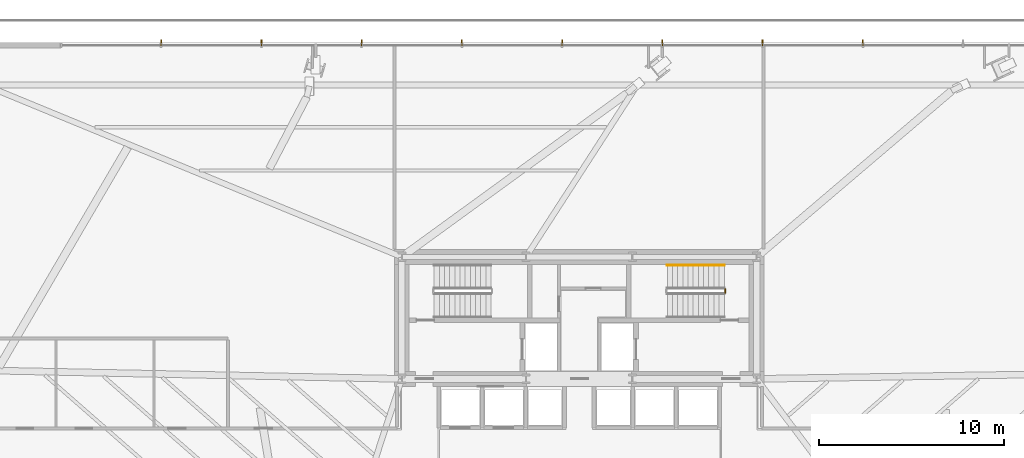
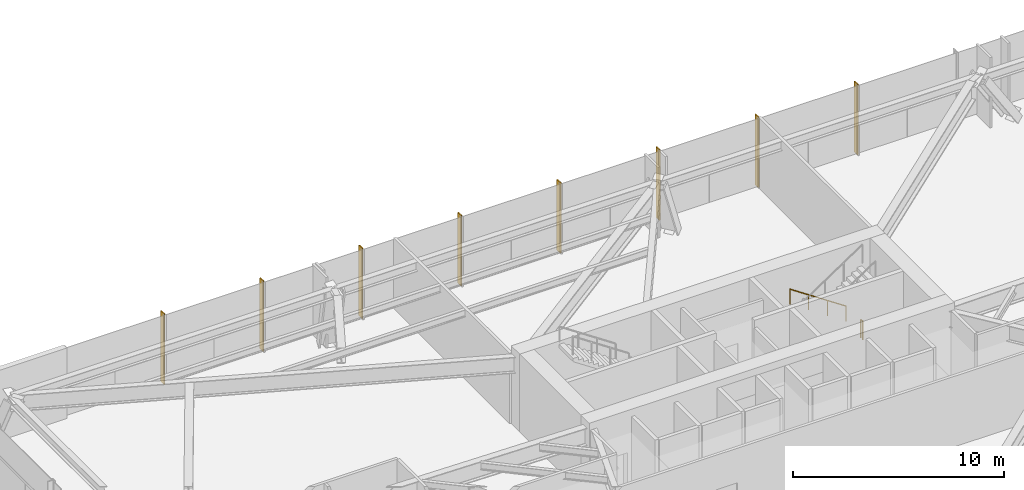
# One storey, part 34 of 36: 8 shading devices, 2 railings.
"""IFC4 building model written with IfcOpenShell, lengths in metres."""

from ifc_helpers import new_model, si_unit, direction, frame, origin, origin_2d, place, context, subcontext, project, spatial, rectangle, extrude, source, transform, mapped, material, type_object, type_shapes, element, save


model = new_model("IFC4")

# Units and contexts
model_context = context("Model", 3, precision=1e-05, world=origin(), true_north=direction((0.0, 1.0)))
body_context = subcontext(model_context, "Body", "Model", "MODEL_VIEW")
ifc_project = project(units=[si_unit("LENGTHUNIT", "METRE"), si_unit("AREAUNIT", "SQUARE_METRE"), si_unit("VOLUMEUNIT", "CUBIC_METRE"), si_unit("PLANEANGLEUNIT", "RADIAN"), si_unit("MASSUNIT", "GRAM", prefix="KILO")], contexts=[model_context])

# Site, building, storey
site_placement = place(None, origin())
site = spatial("IfcSite", under=ifc_project, at=site_placement, CompositionType="ELEMENT")
building_placement = place(site_placement, origin())
building = spatial("IfcBuilding", under=site, at=building_placement, Name="Astriad Promenade Condominiums", CompositionType="ELEMENT")
storey_placement = place(building_placement, frame((0.0, 0.0, 5.0)))
storey = spatial("IfcBuildingStorey", under=building, at=storey_placement, Name="L01", CompositionType="ELEMENT", Elevation=5.0)

# Shading devices
ifc_material_1 = material(Name="Anodised aluminium 6063-T6 Black Fin", Category="aluminium")
shading_device_type = type_object("IfcShadingDeviceType", Name="FIN-BLACK-320", PredefinedType="USERDEFINED", material=ifc_material_1)
shared_shape_1 = source(origin(), body_context, "Body", "SweptSolid", [
    extrude(rectangle(XDim=0.06494140625, YDim=0.320068359375, at=origin_2d()), origin(), (0.0, 0.0, 1.0), 4.080078125),
])
type_shapes(shading_device_type, [shared_shape_1])
for number, where, z_axis, x_axis, name in (
    (1, (13.375, 35.590087890625, 0.0), (0.0, 0.0, 1.0), (1.0, 0.0, 0.0), "CW-L01-N-FIN-01"),
    (2, (18.800048828125, 35.590087890625, 0.0), (0.0, 0.0, 1.0), (1.0, 0.0, 0.0), "CW-L01-N-FIN-02"),
    (3, (24.22509765625, 35.590087890625, 0.0), (0.0, 0.0, 1.0), (1.0, 0.0, 0.0), "CW-L01-N-FIN-03"),
    (4, (29.64990234375, 35.590087890625, 0.0), (0.0, 0.0, 1.0), (1.0, 0.0, 0.0), "CW-L01-N-FIN-04"),
    (5, (35.074951171875, 35.590087890625, 0.0), (0.0, 0.0, 1.0), (1.0, 0.0, 0.0), "CW-L01-N-FIN-05"),
    (6, (40.5, 35.590087890625, 0.0), (0.0, 0.0, 1.0), (1.0, 0.0, 0.0), "CW-L01-N-FIN-06"),
    (7, (45.925048828125, 35.590087890625, 0.0), (0.0, 0.0, 1.0), (1.0, 0.0, 0.0), "CW-L01-N-FIN-07"),
    (8, (51.35009765625, 35.590087890625, 0.0), (0.0, 0.0, 1.0), (1.0, 0.0, 0.0), "CW-L01-N-FIN-08"),
):
    element("IfcShadingDevice", number, at=place(storey_placement, frame(where, z_axis=z_axis, x_axis=x_axis)), inside=storey, type_object=shading_device_type, Name=name, ObjectType="FIN", PredefinedType="USERDEFINED", context=body_context, shape_type="MappedRepresentation", body=[
        mapped(shared_shape_1, transform((0.0, 0.0, 0.0), scale=1.0)),
    ])

# Railings
ifc_material_2 = material(Name="Brushed Stainless Steel Handrail", Category="steel")
railing_type_1 = type_object("IfcRailingType", Name="HRL-STAIR-920", PredefinedType="HANDRAIL", material=ifc_material_2)
shared_shape_2 = source(origin(), body_context, "Body", "SweptSolid", [
    extrude(rectangle(XDim=0.048095703125, YDim=0.048095703125, at=origin_2d()), frame((0.0, 0.0, 0.8759765625), z_axis=(-0.830913701846, 0.0, 0.55640131208), x_axis=(0.0, -1.0, 0.0)), (0.0, 0.0, 1.0), 3.706787109375),
    extrude(rectangle(XDim=0.0419921875, YDim=0.0419921875, at=origin_2d()), origin(), (0.0, 0.0, 1.0), 0.851806640625),
    extrude(rectangle(XDim=0.0419921875, YDim=0.0419921875, at=origin_2d()), frame((-1.026611328125, 0.0, 0.6875)), (0.0, 0.0, 1.0), 0.851806640625),
    extrude(rectangle(XDim=0.0419921875, YDim=0.0419921875, at=origin_2d()), frame((-2.053466796875, 0.0, 1.375)), (0.0, 0.0, 1.0), 0.851806640625),
    extrude(rectangle(XDim=0.0419921875, YDim=0.0419921875, at=origin_2d()), frame((-3.080078125, 0.0, 2.0625)), (0.0, 0.0, 1.0), 0.851806640625),
])
type_shapes(railing_type_1, [shared_shape_2])
railing_1_placement = place(storey_placement, frame((43.85009765625, 23.550048828125, 0.1875)))
element("IfcRailing", 9, at=railing_1_placement, inside=storey, type_object=railing_type_1, Name="L01 ST-2 stair handrail 1", PredefinedType="HANDRAIL", context=body_context, shape_type="MappedRepresentation", body=[
    mapped(shared_shape_2, transform((0.0, 0.0, 0.0), scale=1.0)),
])
ifc_material_3 = material(Name="Painted Galvanised Steel Guardrail", Category="steel")
railing_type_2 = type_object("IfcRailingType", Name="GRD-STAIR-1100", PredefinedType="GUARDRAIL", material=ifc_material_3)
shared_shape_3 = source(origin(), body_context, "Body", "SweptSolid", [
    extrude(rectangle(XDim=0.048095703125, YDim=0.048095703125, at=origin_2d()), frame((0.0, 0.0, 1.076171875), z_axis=(0.0, -1.0, 0.0), x_axis=(1.0, 0.0, 0.0)), (0.0, 0.0, 1.0), 0.199951171875),
    extrude(rectangle(XDim=0.0419921875, YDim=0.0419921875, at=origin_2d()), origin(), (0.0, 0.0, 1.0), 1.052001953125),
    extrude(rectangle(XDim=0.0419921875, YDim=0.0419921875, at=origin_2d()), frame((0.0, -0.199951171875, 0.0)), (0.0, 0.0, 1.0), 1.052001953125),
])
type_shapes(railing_type_2, [shared_shape_3])
railing_2_placement = place(storey_placement, frame((43.89990234375, 22.25, 0.0)))
element("IfcRailing", 10, at=railing_2_placement, inside=storey, type_object=railing_type_2, Name="L01 ST-2 stair guard 4", PredefinedType="GUARDRAIL", context=body_context, shape_type="MappedRepresentation", body=[
    mapped(shared_shape_3, transform((0.0, 0.0, 0.0), scale=1.0)),
])

save(model, "model.ifc")
